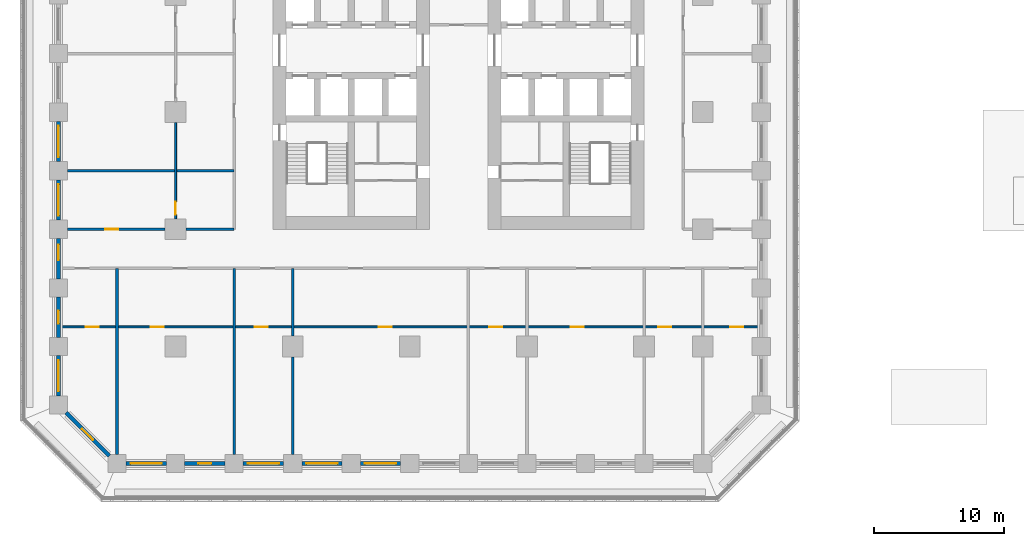
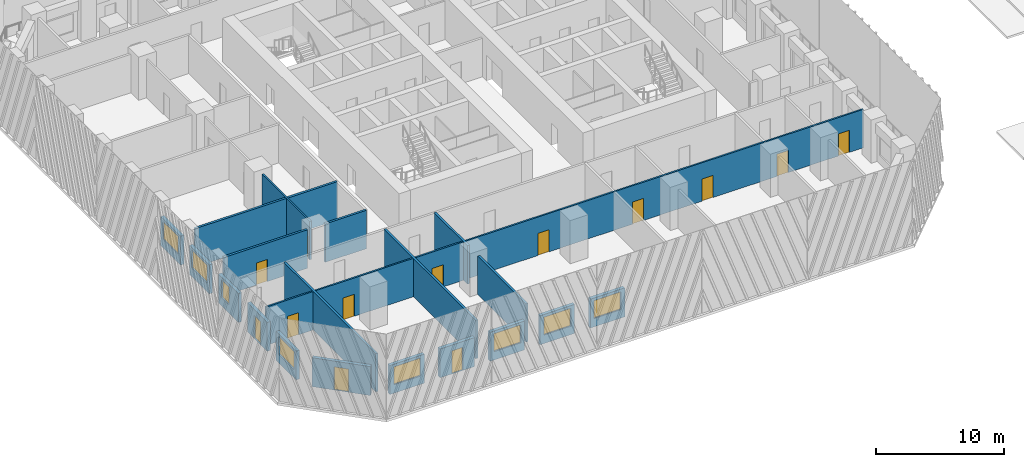
# One storey, part 3 of 15: 20 walls, 13 doors, 8 windows, 21 openings.
"""IFC4 building model written with IfcOpenShell, lengths in metres."""

from ifc_helpers import new_model, si_unit, direction, frame, frame_2d, origin, place, context, subcontext, project, spatial, rectangle, extrude, material, layer, layer_set, type_object, element, fill, save


model = new_model("IFC4")

# Units and contexts
model_context = context("Model", 3, precision=1e-05, world=origin(), true_north=direction((0.0, 1.0)))
body_context = subcontext(model_context, "Body", "Model", "MODEL_VIEW")
ifc_project = project(units=[si_unit("LENGTHUNIT", "METRE"), si_unit("AREAUNIT", "SQUARE_METRE"), si_unit("VOLUMEUNIT", "CUBIC_METRE"), si_unit("PLANEANGLEUNIT", "RADIAN"), si_unit("MASSUNIT", "GRAM", prefix="KILO")], contexts=[model_context])

# Site, building, storey
site_placement = place(None, origin())
site = spatial("IfcSite", under=ifc_project, at=site_placement, CompositionType="ELEMENT")
building_placement = place(site_placement, origin())
building = spatial("IfcBuilding", under=site, at=building_placement, Name="Corbel Stack Research Tower", CompositionType="ELEMENT")
storey_placement = place(building_placement, frame((0.0, 0.0, 23.60009765625)))
storey = spatial("IfcBuildingStorey", under=building, at=storey_placement, Name="L05", CompositionType="ELEMENT", Elevation=23.60009765625)

# Walls
ifc_material_1 = material(Name="Fire-rated gypsum board partition on steel studs", Category="steel")
ifc_layer_1 = layer(ifc_material_1, 0.199951171875)
ifc_layer_set_1 = layer_set([ifc_layer_1], Name="Fire-rated gypsum board partition on steel studs")
wall_type_1 = type_object("IfcWallType", Name="Fire-rated partition 200 EI 60", PredefinedType="PARTITIONING", material=ifc_layer_set_1)
for number, where, z_axis, x_axis, name in (
    (1, (-22.5, -26.300048828125, 0.0), (0.0, 0.0, 1.0), (0.0, 1.0, 0.0), "Partition L05-001"),
    (2, (-13.5, -26.300048828125, 0.0), (0.0, 0.0, 1.0), (0.0, 1.0, 0.0), "Partition L05-006"),
):
    element("IfcWall", number, at=place(storey_placement, frame(where, z_axis=z_axis, x_axis=x_axis)), inside=storey, type_object=wall_type_1, Name=name, PredefinedType="PARTITIONING", context=body_context, shape_type="SweptSolid", body=[
        extrude(rectangle(XDim=14.300048828125, YDim=0.199951171875, at=frame_2d((7.14990234375, 0.0))), origin(), (0.0, 0.0, 1.0), 3.64990234375),
    ])
wall_1_placement = place(storey_placement, frame((-9.0, -26.300048828125, 0.0), z_axis=(0.0, 0.0, 1.0), x_axis=(0.0, 1.0, 0.0)))
element("IfcWall", 3, at=wall_1_placement, inside=storey, type_object=wall_type_1, Name="Partition L05-009", PredefinedType="PARTITIONING", context=body_context, shape_type="SweptSolid", body=[
    extrude(rectangle(XDim=7.5, YDim=0.199951171875, at=frame_2d((3.75, 0.0))), origin(), (0.0, 0.0, 1.0), 3.64990234375),
])
wall_2_placement = place(storey_placement, frame((-9.0, -17.199951171875, 0.0), z_axis=(0.0, 0.0, 1.0), x_axis=(0.0, 1.0, 0.0)))
element("IfcWall", 4, at=wall_2_placement, inside=storey, type_object=wall_type_1, Name="Partition L05-010", PredefinedType="PARTITIONING", context=body_context, shape_type="SweptSolid", body=[
    extrude(rectangle(XDim=5.199951171875, YDim=0.199951171875, at=frame_2d((2.60009765625, 0.0))), origin(), (0.0, 0.0, 1.0), 3.64990234375),
])

# Wall, opening, door
wall_3_placement = place(storey_placement, frame((-26.300048828125, -9.0, 0.0), z_axis=(0.0, 0.0, 1.0), x_axis=(1.0, 0.0, 0.0)))
wall_3 = element("IfcWall", 5, at=wall_3_placement, inside=storey, type_object=wall_type_1, Name="Partition L05-026", PredefinedType="PARTITIONING", context=body_context, shape_type="SweptSolid", body=[
    extrude(rectangle(XDim=7.5, YDim=0.199951171875, at=frame_2d((3.75, 0.0))), origin(), (0.0, 0.0, 1.0), 3.64990234375),
])
opening_1_placement = place(wall_3_placement, frame((2.89990234375, 0.0, 0.0)))
opening_1 = element("IfcOpeningElement", 6, at=opening_1_placement, cuts=wall_3, Name="Opening B1V1-024", PredefinedType="OPENING", context=body_context, shape_type="SweptSolid", body=[
    extrude(rectangle(XDim=1.0, YDim=2.10009765625, at=frame_2d((0.5, 1.050048828125))), frame((0.0, 0.10986328125, 0.0), z_axis=(0.0, -1.0, 0.0), x_axis=(1.0, 0.0, 0.0)), (0.0, 0.0, 1.0), 0.219970703125),
])
ifc_material_2 = material(Name="Painted steel fire door", Category="steel")
door_type_1 = type_object("IfcDoorType", Name="Fire door FD30S 1000 x 2100", OperationType="NOTDEFINED", PredefinedType="DOOR", material=ifc_material_2)
door_1_placement = place(opening_1_placement, origin())
door_1 = element("IfcDoor", 7, at=door_1_placement, inside=storey, type_object=door_type_1, Name="Door B1V1-024", OperationType="SINGLE_SWING_LEFT", OverallHeight=2.10009765625, OverallWidth=1.0, PredefinedType="DOOR", context=body_context, shape_type="SweptSolid", body=[
    extrude(rectangle(XDim=1.0, YDim=2.10009765625, at=frame_2d((0.5, 1.050048828125))), frame((0.0, 0.02490234375, 0.0), z_axis=(0.0, -1.0, 0.0), x_axis=(1.0, 0.0, 0.0)), (0.0, 0.0, 1.0), 0.050048828125),
])
fill(opening_1, door_1)

# Walls
wall_4_placement = place(storey_placement, frame((-17.199951171875, -9.0, 0.0), z_axis=(0.0, 0.0, 1.0), x_axis=(1.0, 0.0, 0.0)))
element("IfcWall", 8, at=wall_4_placement, inside=storey, type_object=wall_type_1, Name="Partition L05-027", PredefinedType="PARTITIONING", context=body_context, shape_type="SweptSolid", body=[
    extrude(rectangle(XDim=3.699951171875, YDim=0.199951171875, at=frame_2d((1.85009765625, 0.0))), origin(), (0.0, 0.0, 1.0), 3.64990234375),
])
wall_5_placement = place(storey_placement, frame((-26.300048828125, -4.5, 0.0), z_axis=(0.0, 0.0, 1.0), x_axis=(1.0, 0.0, 0.0)))
element("IfcWall", 9, at=wall_5_placement, inside=storey, type_object=wall_type_1, Name="Partition L05-030", PredefinedType="PARTITIONING", context=body_context, shape_type="SweptSolid", body=[
    extrude(rectangle(XDim=12.800048828125, YDim=0.199951171875, at=frame_2d((6.39990234375, 0.0))), origin(), (0.0, 0.0, 1.0), 3.64990234375),
])

# Wall, opening, door
ifc_material_3 = material(Name="Gypsum board partition on steel studs", Category="steel")
ifc_layer_2 = layer(ifc_material_3, 0.14990234375)
ifc_layer_set_2 = layer_set([ifc_layer_2], Name="Gypsum board partition on steel studs")
wall_type_2 = type_object("IfcWallType", Name="Partition 150", PredefinedType="PARTITIONING", material=ifc_layer_set_2)
wall_6_placement = place(storey_placement, frame((-18.0, -0.800048828125, 0.0), z_axis=(0.0, 0.0, 1.0), x_axis=(0.0, -1.0, 0.0)))
wall_6 = element("IfcWall", 10, at=wall_6_placement, inside=storey, type_object=wall_type_2, Name="Partition L05-003", PredefinedType="PARTITIONING", context=body_context, shape_type="SweptSolid", body=[
    extrude(rectangle(XDim=7.39990234375, YDim=0.14990234375, at=frame_2d((3.699951171875, 0.0))), origin(), (0.0, 0.0, 1.0), 3.64990234375),
])
opening_2_placement = place(wall_6_placement, frame((6.10009765625, 0.0, 0.0)))
opening_2 = element("IfcOpeningElement", 11, at=opening_2_placement, cuts=wall_6, Name="Opening B1V1-001", PredefinedType="OPENING", context=body_context, shape_type="SweptSolid", body=[
    extrude(rectangle(XDim=1.0, YDim=2.10009765625, at=frame_2d((0.5, 1.050048828125))), frame((0.0, 0.0849609375, 0.0), z_axis=(0.0, -1.0, 0.0), x_axis=(1.0, 0.0, 0.0)), (0.0, 0.0, 1.0), 0.169921875),
])
ifc_material_4 = material(Name="Painted timber door", Category="wood")
door_type_2 = type_object("IfcDoorType", Name="Single door 1000 x 2100", OperationType="NOTDEFINED", PredefinedType="DOOR", material=ifc_material_4)
door_2_placement = place(opening_2_placement, origin())
door_2 = element("IfcDoor", 12, at=door_2_placement, inside=storey, type_object=door_type_2, Name="Door B1V1-001", OperationType="SINGLE_SWING_RIGHT", OverallHeight=2.10009765625, OverallWidth=1.0, PredefinedType="DOOR", context=body_context, shape_type="SweptSolid", body=[
    extrude(rectangle(XDim=1.0, YDim=2.10009765625, at=frame_2d((0.5, 1.050048828125))), frame((0.0, 0.02490234375, 0.0), z_axis=(0.0, -1.0, 0.0), x_axis=(1.0, 0.0, 0.0)), (0.0, 0.0, 1.0), 0.050048828125),
])
fill(opening_2, door_2)

# Wall, openings, doors
wall_7_placement = place(storey_placement, frame((26.85009765625, -16.5, 0.0), z_axis=(0.0, 0.0, 1.0), x_axis=(-1.0, 0.0, 0.0)))
wall_7 = element("IfcWall", 13, at=wall_7_placement, inside=storey, type_object=wall_type_2, Name="Partition L05-024", PredefinedType="PARTITIONING", context=body_context, shape_type="SweptSolid", body=[
    extrude(rectangle(XDim=53.7001953125, YDim=0.14990234375, at=frame_2d((26.85009765625, 0.0))), origin(), (0.0, 0.0, 1.0), 3.64990234375),
])
opening_3_placement = place(wall_7_placement, frame((50.75, 0.0, 0.0)))
opening_3 = element("IfcOpeningElement", 14, at=opening_3_placement, cuts=wall_7, Name="Opening B1V1-005", PredefinedType="OPENING", context=body_context, shape_type="SweptSolid", body=[
    extrude(rectangle(XDim=1.0, YDim=2.10009765625, at=frame_2d((0.5, 1.050048828125))), frame((0.0, 0.0849609375, 0.0), z_axis=(0.0, -1.0, 0.0), x_axis=(1.0, 0.0, 0.0)), (0.0, 0.0, 1.0), 0.169921875),
])
opening_4_placement = place(wall_7_placement, frame((45.75, 0.0, 0.0)))
opening_4 = element("IfcOpeningElement", 15, at=opening_4_placement, cuts=wall_7, Name="Opening B1V1-006", PredefinedType="OPENING", context=body_context, shape_type="SweptSolid", body=[
    extrude(rectangle(XDim=1.0, YDim=2.10009765625, at=frame_2d((0.5, 1.050048828125))), frame((0.0, 0.0849609375, 0.0), z_axis=(0.0, -1.0, 0.0), x_axis=(1.0, 0.0, 0.0)), (0.0, 0.0, 1.0), 0.169921875),
])
opening_5_placement = place(wall_7_placement, frame((37.75, 0.0, 0.0)))
opening_5 = element("IfcOpeningElement", 16, at=opening_5_placement, cuts=wall_7, Name="Opening B1V1-007", PredefinedType="OPENING", context=body_context, shape_type="SweptSolid", body=[
    extrude(rectangle(XDim=1.0, YDim=2.10009765625, at=frame_2d((0.5, 1.050048828125))), frame((0.0, 0.0849609375, 0.0), z_axis=(0.0, -1.0, 0.0), x_axis=(1.0, 0.0, 0.0)), (0.0, 0.0, 1.0), 0.169921875),
])
opening_6_placement = place(wall_7_placement, frame((28.25, 0.0, 0.0)))
opening_6 = element("IfcOpeningElement", 17, at=opening_6_placement, cuts=wall_7, Name="Opening B1V1-008", PredefinedType="OPENING", context=body_context, shape_type="SweptSolid", body=[
    extrude(rectangle(XDim=1.0, YDim=2.10009765625, at=frame_2d((0.5, 1.050048828125))), frame((0.0, 0.0849609375, 0.0), z_axis=(0.0, -1.0, 0.0), x_axis=(1.0, 0.0, 0.0)), (0.0, 0.0, 1.0), 0.169921875),
])
opening_7_placement = place(wall_7_placement, frame((19.75, 0.0, 0.0)))
opening_7 = element("IfcOpeningElement", 18, at=opening_7_placement, cuts=wall_7, Name="Opening B1V1-009", PredefinedType="OPENING", context=body_context, shape_type="SweptSolid", body=[
    extrude(rectangle(XDim=1.0, YDim=2.10009765625, at=frame_2d((0.5, 1.050048828125))), frame((0.0, 0.0849609375, 0.0), z_axis=(0.0, -1.0, 0.0), x_axis=(1.0, 0.0, 0.0)), (0.0, 0.0, 1.0), 0.169921875),
])
opening_8_placement = place(wall_7_placement, frame((13.5, 0.0, 0.0)))
opening_8 = element("IfcOpeningElement", 19, at=opening_8_placement, cuts=wall_7, Name="Opening B1V1-010", PredefinedType="OPENING", context=body_context, shape_type="SweptSolid", body=[
    extrude(rectangle(XDim=1.0, YDim=2.10009765625, at=frame_2d((0.5, 1.050048828125))), frame((0.0, 0.0849609375, 0.0), z_axis=(0.0, -1.0, 0.0), x_axis=(1.0, 0.0, 0.0)), (0.0, 0.0, 1.0), 0.169921875),
])
opening_9_placement = place(wall_7_placement, frame((6.75, 0.0, 0.0)))
opening_9 = element("IfcOpeningElement", 20, at=opening_9_placement, cuts=wall_7, Name="Opening B1V1-011", PredefinedType="OPENING", context=body_context, shape_type="SweptSolid", body=[
    extrude(rectangle(XDim=1.0, YDim=2.10009765625, at=frame_2d((0.5, 1.050048828125))), frame((0.0, 0.0849609375, 0.0), z_axis=(0.0, -1.0, 0.0), x_axis=(1.0, 0.0, 0.0)), (0.0, 0.0, 1.0), 0.169921875),
])
opening_10_placement = place(wall_7_placement, frame((1.25, 0.0, 0.0)))
opening_10 = element("IfcOpeningElement", 21, at=opening_10_placement, cuts=wall_7, Name="Opening B1V1-012", PredefinedType="OPENING", context=body_context, shape_type="SweptSolid", body=[
    extrude(rectangle(XDim=1.0, YDim=2.10009765625, at=frame_2d((0.5, 1.050048828125))), frame((0.0, 0.0849609375, 0.0), z_axis=(0.0, -1.0, 0.0), x_axis=(1.0, 0.0, 0.0)), (0.0, 0.0, 1.0), 0.169921875),
])
door_3_placement = place(opening_3_placement, origin())
door_3 = element("IfcDoor", 22, at=door_3_placement, inside=storey, type_object=door_type_2, Name="Door B1V1-005", OperationType="SINGLE_SWING_RIGHT", OverallHeight=2.10009765625, OverallWidth=1.0, PredefinedType="DOOR", context=body_context, shape_type="SweptSolid", body=[
    extrude(rectangle(XDim=1.0, YDim=2.10009765625, at=frame_2d((0.5, 1.050048828125))), frame((0.0, 0.02490234375, 0.0), z_axis=(0.0, -1.0, 0.0), x_axis=(1.0, 0.0, 0.0)), (0.0, 0.0, 1.0), 0.050048828125),
])
fill(opening_3, door_3)
door_4_placement = place(opening_4_placement, origin())
door_4 = element("IfcDoor", 23, at=door_4_placement, inside=storey, type_object=door_type_2, Name="Door B1V1-006", OperationType="SINGLE_SWING_RIGHT", OverallHeight=2.10009765625, OverallWidth=1.0, PredefinedType="DOOR", context=body_context, shape_type="SweptSolid", body=[
    extrude(rectangle(XDim=1.0, YDim=2.10009765625, at=frame_2d((0.5, 1.050048828125))), frame((0.0, 0.02490234375, 0.0), z_axis=(0.0, -1.0, 0.0), x_axis=(1.0, 0.0, 0.0)), (0.0, 0.0, 1.0), 0.050048828125),
])
fill(opening_4, door_4)
door_5_placement = place(opening_5_placement, origin())
door_5 = element("IfcDoor", 24, at=door_5_placement, inside=storey, type_object=door_type_2, Name="Door B1V1-007", OperationType="SINGLE_SWING_RIGHT", OverallHeight=2.10009765625, OverallWidth=1.0, PredefinedType="DOOR", context=body_context, shape_type="SweptSolid", body=[
    extrude(rectangle(XDim=1.0, YDim=2.10009765625, at=frame_2d((0.5, 1.050048828125))), frame((0.0, 0.02490234375, 0.0), z_axis=(0.0, -1.0, 0.0), x_axis=(1.0, 0.0, 0.0)), (0.0, 0.0, 1.0), 0.050048828125),
])
fill(opening_5, door_5)
door_6_placement = place(opening_6_placement, origin())
door_6 = element("IfcDoor", 25, at=door_6_placement, inside=storey, type_object=door_type_2, Name="Door B1V1-008", OperationType="SINGLE_SWING_RIGHT", OverallHeight=2.10009765625, OverallWidth=1.0, PredefinedType="DOOR", context=body_context, shape_type="SweptSolid", body=[
    extrude(rectangle(XDim=1.0, YDim=2.10009765625, at=frame_2d((0.5, 1.050048828125))), frame((0.0, 0.02490234375, 0.0), z_axis=(0.0, -1.0, 0.0), x_axis=(1.0, 0.0, 0.0)), (0.0, 0.0, 1.0), 0.050048828125),
])
fill(opening_6, door_6)
door_7_placement = place(opening_7_placement, origin())
door_7 = element("IfcDoor", 26, at=door_7_placement, inside=storey, type_object=door_type_2, Name="Door B1V1-009", OperationType="SINGLE_SWING_LEFT", OverallHeight=2.10009765625, OverallWidth=1.0, PredefinedType="DOOR", context=body_context, shape_type="SweptSolid", body=[
    extrude(rectangle(XDim=1.0, YDim=2.10009765625, at=frame_2d((0.5, 1.050048828125))), frame((0.0, 0.02490234375, 0.0), z_axis=(0.0, -1.0, 0.0), x_axis=(1.0, 0.0, 0.0)), (0.0, 0.0, 1.0), 0.050048828125),
])
fill(opening_7, door_7)
door_8_placement = place(opening_8_placement, origin())
door_8 = element("IfcDoor", 27, at=door_8_placement, inside=storey, type_object=door_type_2, Name="Door B1V1-010", OperationType="SINGLE_SWING_LEFT", OverallHeight=2.10009765625, OverallWidth=1.0, PredefinedType="DOOR", context=body_context, shape_type="SweptSolid", body=[
    extrude(rectangle(XDim=1.0, YDim=2.10009765625, at=frame_2d((0.5, 1.050048828125))), frame((0.0, 0.02490234375, 0.0), z_axis=(0.0, -1.0, 0.0), x_axis=(1.0, 0.0, 0.0)), (0.0, 0.0, 1.0), 0.050048828125),
])
fill(opening_8, door_8)
door_9_placement = place(opening_9_placement, origin())
door_9 = element("IfcDoor", 28, at=door_9_placement, inside=storey, type_object=door_type_2, Name="Door B1V1-011", OperationType="SINGLE_SWING_LEFT", OverallHeight=2.10009765625, OverallWidth=1.0, PredefinedType="DOOR", context=body_context, shape_type="SweptSolid", body=[
    extrude(rectangle(XDim=1.0, YDim=2.10009765625, at=frame_2d((0.5, 1.050048828125))), frame((0.0, 0.02490234375, 0.0), z_axis=(0.0, -1.0, 0.0), x_axis=(1.0, 0.0, 0.0)), (0.0, 0.0, 1.0), 0.050048828125),
])
fill(opening_9, door_9)
door_10_placement = place(opening_10_placement, origin())
door_10 = element("IfcDoor", 29, at=door_10_placement, inside=storey, type_object=door_type_2, Name="Door B1V1-012", OperationType="SINGLE_SWING_LEFT", OverallHeight=2.10009765625, OverallWidth=1.0, PredefinedType="DOOR", context=body_context, shape_type="SweptSolid", body=[
    extrude(rectangle(XDim=1.0, YDim=2.10009765625, at=frame_2d((0.5, 1.050048828125))), frame((0.0, 0.02490234375, 0.0), z_axis=(0.0, -1.0, 0.0), x_axis=(1.0, 0.0, 0.0)), (0.0, 0.0, 1.0), 0.050048828125),
])
fill(opening_10, door_10)

# Wall, opening, window
ifc_material_5 = material(Name="Concrete C45/55", Category="concrete")
ifc_layer_3 = layer(ifc_material_5, 0.300048828125)
ifc_layer_set_3 = layer_set([ifc_layer_3], Name="Concrete C45/55")
wall_type_3 = type_object("IfcWallType", Name="Terracotta-faced concrete wall 300", PredefinedType="SOLIDWALL", material=ifc_layer_set_3)
wall_8_placement = place(storey_placement, frame((-18.699951171875, -27.0, 0.0), z_axis=(0.0, 0.0, 1.0), x_axis=(-1.0, 0.0, 0.0)))
wall_8 = element("IfcWall", 30, at=wall_8_placement, inside=storey, type_object=wall_type_3, Name="Facade wall L05 S01", PredefinedType="SOLIDWALL", context=body_context, shape_type="SweptSolid", body=[
    extrude(rectangle(XDim=3.10009765625, YDim=0.300048828125, at=frame_2d((1.550048828125, 0.0))), origin(), (0.0, 0.0, 1.0), 2.75),
])
opening_11_placement = place(wall_8_placement, frame((0.35009765625, 0.0, 0.800048828125)))
opening_11 = element("IfcOpeningElement", 31, at=opening_11_placement, cuts=wall_8, Name="Opening W1", PredefinedType="OPENING", context=body_context, shape_type="SweptSolid", body=[
    extrude(rectangle(XDim=2.39990234375, YDim=1.699951171875, at=frame_2d((1.199951171875, 0.85009765625))), frame((0.0, 0.159912109375, 0.0), z_axis=(0.0, -1.0, 0.0), x_axis=(1.0, 0.0, 0.0)), (0.0, 0.0, 1.0), 0.320068359375),
])
ifc_material_6 = material(Name="Aluminium frame, clear double glazing", Category="aluminium")
window_type_1 = type_object("IfcWindowType", Name="Window W1 2400 x 1700", PartitioningType="SINGLE_PANEL", PredefinedType="WINDOW", material=ifc_material_6)
window_1_placement = place(opening_11_placement, origin())
window_1 = element("IfcWindow", 32, at=window_1_placement, inside=storey, type_object=window_type_1, Name="Window W1 L05 S01", OverallHeight=1.699951171875, OverallWidth=2.39990234375, PartitioningType="SINGLE_PANEL", PredefinedType="WINDOW", context=body_context, shape_type="SweptSolid", body=[
    extrude(rectangle(XDim=2.39990234375, YDim=1.699951171875, at=frame_2d((1.199951171875, 0.85009765625))), frame((0.0, 0.030029296875, 0.0), z_axis=(0.0, -1.0, 0.0), x_axis=(1.0, 0.0, 0.0)), (0.0, 0.0, 1.0), 0.06005859375),
])
fill(opening_11, window_1)

# Wall, opening, door
wall_9_placement = place(storey_placement, frame((-14.199951171875, -27.0, 0.0), z_axis=(0.0, 0.0, 1.0), x_axis=(-1.0, 0.0, 0.0)))
wall_9 = element("IfcWall", 33, at=wall_9_placement, inside=storey, type_object=wall_type_3, Name="Facade wall L05 S02", PredefinedType="SOLIDWALL", context=body_context, shape_type="SweptSolid", body=[
    extrude(rectangle(XDim=3.10009765625, YDim=0.300048828125, at=frame_2d((1.550048828125, 0.0))), origin(), (0.0, 0.0, 1.0), 2.75),
])
opening_12_placement = place(wall_9_placement, frame((1.050048828125, 0.0, 0.0)))
opening_12 = element("IfcOpeningElement", 34, at=opening_12_placement, cuts=wall_9, Name="Opening L05-B01", PredefinedType="OPENING", context=body_context, shape_type="SweptSolid", body=[
    extrude(rectangle(XDim=1.0, YDim=2.199951171875, at=frame_2d((0.5, 1.10009765625))), frame((0.0, 0.159912109375, 0.0), z_axis=(0.0, -1.0, 0.0), x_axis=(1.0, 0.0, 0.0)), (0.0, 0.0, 1.0), 0.320068359375),
])
ifc_material_7 = material(Name="Aluminium frame, clear double glazing", Category="aluminium")
door_type_3 = type_object("IfcDoorType", Name="Balcony door BD1 1000 x 2200", OperationType="NOTDEFINED", PredefinedType="DOOR", material=ifc_material_7)
door_11_placement = place(opening_12_placement, origin())
door_11 = element("IfcDoor", 35, at=door_11_placement, inside=storey, type_object=door_type_3, Name="Balcony door L05-B01", OperationType="SINGLE_SWING_LEFT", OverallHeight=2.199951171875, OverallWidth=1.0, PredefinedType="DOOR", context=body_context, shape_type="SweptSolid", body=[
    extrude(rectangle(XDim=1.0, YDim=2.199951171875, at=frame_2d((0.5, 1.10009765625))), frame((0.0, 0.02490234375, 0.0), z_axis=(0.0, -1.0, 0.0), x_axis=(1.0, 0.0, 0.0)), (0.0, 0.0, 1.0), 0.050048828125),
])
fill(opening_12, door_11)

# Wall, opening, window
wall_10_placement = place(storey_placement, frame((-9.699951171875, -27.0, 0.0), z_axis=(0.0, 0.0, 1.0), x_axis=(-1.0, 0.0, 0.0)))
wall_10 = element("IfcWall", 36, at=wall_10_placement, inside=storey, type_object=wall_type_3, Name="Facade wall L05 S03", PredefinedType="SOLIDWALL", context=body_context, shape_type="SweptSolid", body=[
    extrude(rectangle(XDim=3.10009765625, YDim=0.300048828125, at=frame_2d((1.550048828125, 0.0))), origin(), (0.0, 0.0, 1.0), 2.75),
])
opening_13_placement = place(wall_10_placement, frame((0.35009765625, 0.0, 0.800048828125)))
opening_13 = element("IfcOpeningElement", 37, at=opening_13_placement, cuts=wall_10, Name="Opening W1", PredefinedType="OPENING", context=body_context, shape_type="SweptSolid", body=[
    extrude(rectangle(XDim=2.39990234375, YDim=1.699951171875, at=frame_2d((1.199951171875, 0.85009765625))), frame((0.0, 0.159912109375, 0.0), z_axis=(0.0, -1.0, 0.0), x_axis=(1.0, 0.0, 0.0)), (0.0, 0.0, 1.0), 0.320068359375),
])
window_2_placement = place(opening_13_placement, origin())
window_2 = element("IfcWindow", 38, at=window_2_placement, inside=storey, type_object=window_type_1, Name="Window W1 L05 S03", OverallHeight=1.699951171875, OverallWidth=2.39990234375, PartitioningType="SINGLE_PANEL", PredefinedType="WINDOW", context=body_context, shape_type="SweptSolid", body=[
    extrude(rectangle(XDim=2.39990234375, YDim=1.699951171875, at=frame_2d((1.199951171875, 0.85009765625))), frame((0.0, 0.030029296875, 0.0), z_axis=(0.0, -1.0, 0.0), x_axis=(1.0, 0.0, 0.0)), (0.0, 0.0, 1.0), 0.06005859375),
])
fill(opening_13, window_2)

wall_11_placement = place(storey_placement, frame((-5.199951171875, -27.0, 0.0), z_axis=(0.0, 0.0, 1.0), x_axis=(-1.0, 0.0, 0.0)))
wall_11 = element("IfcWall", 39, at=wall_11_placement, inside=storey, type_object=wall_type_3, Name="Facade wall L05 S04", PredefinedType="SOLIDWALL", context=body_context, shape_type="SweptSolid", body=[
    extrude(rectangle(XDim=3.10009765625, YDim=0.300048828125, at=frame_2d((1.550048828125, 0.0))), origin(), (0.0, 0.0, 1.0), 2.75),
])
opening_14_placement = place(wall_11_placement, frame((0.35009765625, 0.0, 0.800048828125)))
opening_14 = element("IfcOpeningElement", 40, at=opening_14_placement, cuts=wall_11, Name="Opening W1", PredefinedType="OPENING", context=body_context, shape_type="SweptSolid", body=[
    extrude(rectangle(XDim=2.39990234375, YDim=1.699951171875, at=frame_2d((1.199951171875, 0.85009765625))), frame((0.0, 0.159912109375, 0.0), z_axis=(0.0, -1.0, 0.0), x_axis=(1.0, 0.0, 0.0)), (0.0, 0.0, 1.0), 0.320068359375),
])
window_3_placement = place(opening_14_placement, origin())
window_3 = element("IfcWindow", 41, at=window_3_placement, inside=storey, type_object=window_type_1, Name="Window W1 L05 S04", OverallHeight=1.699951171875, OverallWidth=2.39990234375, PartitioningType="SINGLE_PANEL", PredefinedType="WINDOW", context=body_context, shape_type="SweptSolid", body=[
    extrude(rectangle(XDim=2.39990234375, YDim=1.699951171875, at=frame_2d((1.199951171875, 0.85009765625))), frame((0.0, 0.030029296875, 0.0), z_axis=(0.0, -1.0, 0.0), x_axis=(1.0, 0.0, 0.0)), (0.0, 0.0, 1.0), 0.06005859375),
])
fill(opening_14, window_3)

wall_12_placement = place(storey_placement, frame((-0.699951171875, -27.0, 0.0), z_axis=(0.0, 0.0, 1.0), x_axis=(-1.0, 0.0, 0.0)))
wall_12 = element("IfcWall", 42, at=wall_12_placement, inside=storey, type_object=wall_type_3, Name="Facade wall L05 S05", PredefinedType="SOLIDWALL", context=body_context, shape_type="SweptSolid", body=[
    extrude(rectangle(XDim=3.10009765625, YDim=0.300048828125, at=frame_2d((1.550048828125, 0.0))), origin(), (0.0, 0.0, 1.0), 2.75),
])
opening_15_placement = place(wall_12_placement, frame((0.35009765625, 0.0, 0.800048828125)))
opening_15 = element("IfcOpeningElement", 43, at=opening_15_placement, cuts=wall_12, Name="Opening W1", PredefinedType="OPENING", context=body_context, shape_type="SweptSolid", body=[
    extrude(rectangle(XDim=2.39990234375, YDim=1.699951171875, at=frame_2d((1.199951171875, 0.85009765625))), frame((0.0, 0.159912109375, 0.0), z_axis=(0.0, -1.0, 0.0), x_axis=(1.0, 0.0, 0.0)), (0.0, 0.0, 1.0), 0.320068359375),
])
window_4_placement = place(opening_15_placement, origin())
window_4 = element("IfcWindow", 44, at=window_4_placement, inside=storey, type_object=window_type_1, Name="Window W1 L05 S05", OverallHeight=1.699951171875, OverallWidth=2.39990234375, PartitioningType="SINGLE_PANEL", PredefinedType="WINDOW", context=body_context, shape_type="SweptSolid", body=[
    extrude(rectangle(XDim=2.39990234375, YDim=1.699951171875, at=frame_2d((1.199951171875, 0.85009765625))), frame((0.0, 0.030029296875, 0.0), z_axis=(0.0, -1.0, 0.0), x_axis=(1.0, 0.0, 0.0)), (0.0, 0.0, 1.0), 0.06005859375),
])
fill(opening_15, window_4)

wall_13_placement = place(storey_placement, frame((-27.0, -3.800048828125, 0.0), z_axis=(0.0, 0.0, 1.0), x_axis=(0.0, 1.0, 0.0)))
wall_13 = element("IfcWall", 45, at=wall_13_placement, inside=storey, type_object=wall_type_3, Name="Facade wall L05 W06", PredefinedType="SOLIDWALL", context=body_context, shape_type="SweptSolid", body=[
    extrude(rectangle(XDim=3.10009765625, YDim=0.300048828125, at=frame_2d((1.550048828125, 0.0))), origin(), (0.0, 0.0, 1.0), 2.75),
])
opening_16_placement = place(wall_13_placement, frame((0.35009765625, 0.0, 0.800048828125)))
opening_16 = element("IfcOpeningElement", 46, at=opening_16_placement, cuts=wall_13, Name="Opening W1", PredefinedType="OPENING", context=body_context, shape_type="SweptSolid", body=[
    extrude(rectangle(XDim=2.39990234375, YDim=1.699951171875, at=frame_2d((1.199951171875, 0.85009765625))), frame((0.0, 0.159912109375, 0.0), z_axis=(0.0, -1.0, 0.0), x_axis=(1.0, 0.0, 0.0)), (0.0, 0.0, 1.0), 0.320068359375),
])
window_5_placement = place(opening_16_placement, origin())
window_5 = element("IfcWindow", 47, at=window_5_placement, inside=storey, type_object=window_type_1, Name="Window W1 L05 W06", OverallHeight=1.699951171875, OverallWidth=2.39990234375, PartitioningType="SINGLE_PANEL", PredefinedType="WINDOW", context=body_context, shape_type="SweptSolid", body=[
    extrude(rectangle(XDim=2.39990234375, YDim=1.699951171875, at=frame_2d((1.199951171875, 0.85009765625))), frame((0.0, 0.030029296875, 0.0), z_axis=(0.0, -1.0, 0.0), x_axis=(1.0, 0.0, 0.0)), (0.0, 0.0, 1.0), 0.06005859375),
])
fill(opening_16, window_5)

wall_14_placement = place(storey_placement, frame((-27.0, -8.300048828125, 0.0), z_axis=(0.0, 0.0, 1.0), x_axis=(0.0, 1.0, 0.0)))
wall_14 = element("IfcWall", 48, at=wall_14_placement, inside=storey, type_object=wall_type_3, Name="Facade wall L05 W07", PredefinedType="SOLIDWALL", context=body_context, shape_type="SweptSolid", body=[
    extrude(rectangle(XDim=3.10009765625, YDim=0.300048828125, at=frame_2d((1.550048828125, 0.0))), origin(), (0.0, 0.0, 1.0), 2.75),
])
opening_17_placement = place(wall_14_placement, frame((0.35009765625, 0.0, 0.800048828125)))
opening_17 = element("IfcOpeningElement", 49, at=opening_17_placement, cuts=wall_14, Name="Opening W1", PredefinedType="OPENING", context=body_context, shape_type="SweptSolid", body=[
    extrude(rectangle(XDim=2.39990234375, YDim=1.699951171875, at=frame_2d((1.199951171875, 0.85009765625))), frame((0.0, 0.159912109375, 0.0), z_axis=(0.0, -1.0, 0.0), x_axis=(1.0, 0.0, 0.0)), (0.0, 0.0, 1.0), 0.320068359375),
])
window_6_placement = place(opening_17_placement, origin())
window_6 = element("IfcWindow", 50, at=window_6_placement, inside=storey, type_object=window_type_1, Name="Window W1 L05 W07", OverallHeight=1.699951171875, OverallWidth=2.39990234375, PartitioningType="SINGLE_PANEL", PredefinedType="WINDOW", context=body_context, shape_type="SweptSolid", body=[
    extrude(rectangle(XDim=2.39990234375, YDim=1.699951171875, at=frame_2d((1.199951171875, 0.85009765625))), frame((0.0, 0.030029296875, 0.0), z_axis=(0.0, -1.0, 0.0), x_axis=(1.0, 0.0, 0.0)), (0.0, 0.0, 1.0), 0.06005859375),
])
fill(opening_17, window_6)

wall_15_placement = place(storey_placement, frame((-27.0, -12.800048828125, 0.0), z_axis=(0.0, 0.0, 1.0), x_axis=(0.0, 1.0, 0.0)))
wall_15 = element("IfcWall", 51, at=wall_15_placement, inside=storey, type_object=wall_type_3, Name="Facade wall L05 W08", PredefinedType="SOLIDWALL", context=body_context, shape_type="SweptSolid", body=[
    extrude(rectangle(XDim=3.10009765625, YDim=0.300048828125, at=frame_2d((1.550048828125, 0.0))), origin(), (0.0, 0.0, 1.0), 2.75),
])
opening_18_placement = place(wall_15_placement, frame((1.425048828125, 0.0, 0.800048828125)))
opening_18 = element("IfcOpeningElement", 52, at=opening_18_placement, cuts=wall_15, Name="Opening W2", PredefinedType="OPENING", context=body_context, shape_type="SweptSolid", body=[
    extrude(rectangle(XDim=1.199951171875, YDim=1.699951171875, at=frame_2d((0.60009765625, 0.85009765625))), frame((0.0, 0.159912109375, 0.0), z_axis=(0.0, -1.0, 0.0), x_axis=(1.0, 0.0, 0.0)), (0.0, 0.0, 1.0), 0.320068359375),
])
ifc_material_8 = material(Name="Aluminium frame, clear double glazing", Category="aluminium")
window_type_2 = type_object("IfcWindowType", Name="Window W2 1200 x 1700", PartitioningType="SINGLE_PANEL", PredefinedType="WINDOW", material=ifc_material_8)
window_7_placement = place(opening_18_placement, origin())
window_7 = element("IfcWindow", 53, at=window_7_placement, inside=storey, type_object=window_type_2, Name="Window W2 L05 W08", OverallHeight=1.699951171875, OverallWidth=1.199951171875, PartitioningType="SINGLE_PANEL", PredefinedType="WINDOW", context=body_context, shape_type="SweptSolid", body=[
    extrude(rectangle(XDim=1.199951171875, YDim=1.699951171875, at=frame_2d((0.60009765625, 0.85009765625))), frame((0.0, 0.030029296875, 0.0), z_axis=(0.0, -1.0, 0.0), x_axis=(1.0, 0.0, 0.0)), (0.0, 0.0, 1.0), 0.06005859375),
])
fill(opening_18, window_7)

# Wall, opening, door
wall_16_placement = place(storey_placement, frame((-27.0, -17.300048828125, 0.0), z_axis=(0.0, 0.0, 1.0), x_axis=(0.0, 1.0, 0.0)))
wall_16 = element("IfcWall", 54, at=wall_16_placement, inside=storey, type_object=wall_type_3, Name="Facade wall L05 W09", PredefinedType="SOLIDWALL", context=body_context, shape_type="SweptSolid", body=[
    extrude(rectangle(XDim=3.10009765625, YDim=0.300048828125, at=frame_2d((1.550048828125, 0.0))), origin(), (0.0, 0.0, 1.0), 2.75),
])
opening_19_placement = place(wall_16_placement, frame((1.050048828125, 0.0, 0.0)))
opening_19 = element("IfcOpeningElement", 55, at=opening_19_placement, cuts=wall_16, Name="Opening L05-B11", PredefinedType="OPENING", context=body_context, shape_type="SweptSolid", body=[
    extrude(rectangle(XDim=1.0, YDim=2.199951171875, at=frame_2d((0.5, 1.10009765625))), frame((0.0, 0.159912109375, 0.0), z_axis=(0.0, -1.0, 0.0), x_axis=(1.0, 0.0, 0.0)), (0.0, 0.0, 1.0), 0.320068359375),
])
door_12_placement = place(opening_19_placement, origin())
door_12 = element("IfcDoor", 56, at=door_12_placement, inside=storey, type_object=door_type_3, Name="Balcony door L05-B11", OperationType="SINGLE_SWING_RIGHT", OverallHeight=2.199951171875, OverallWidth=1.0, PredefinedType="DOOR", context=body_context, shape_type="SweptSolid", body=[
    extrude(rectangle(XDim=1.0, YDim=2.199951171875, at=frame_2d((0.5, 1.10009765625))), frame((0.0, 0.02490234375, 0.0), z_axis=(0.0, -1.0, 0.0), x_axis=(1.0, 0.0, 0.0)), (0.0, 0.0, 1.0), 0.050048828125),
])
fill(opening_19, door_12)

# Wall, opening, window
wall_17_placement = place(storey_placement, frame((-27.0, -21.800048828125, 0.0), z_axis=(0.0, 0.0, 1.0), x_axis=(0.0, 1.0, 0.0)))
wall_17 = element("IfcWall", 57, at=wall_17_placement, inside=storey, type_object=wall_type_3, Name="Facade wall L05 W10", PredefinedType="SOLIDWALL", context=body_context, shape_type="SweptSolid", body=[
    extrude(rectangle(XDim=3.10009765625, YDim=0.300048828125, at=frame_2d((1.550048828125, 0.0))), origin(), (0.0, 0.0, 1.0), 2.75),
])
opening_20_placement = place(wall_17_placement, frame((0.35009765625, 0.0, 0.800048828125)))
opening_20 = element("IfcOpeningElement", 58, at=opening_20_placement, cuts=wall_17, Name="Opening W1", PredefinedType="OPENING", context=body_context, shape_type="SweptSolid", body=[
    extrude(rectangle(XDim=2.39990234375, YDim=1.699951171875, at=frame_2d((1.199951171875, 0.85009765625))), frame((0.0, 0.159912109375, 0.0), z_axis=(0.0, -1.0, 0.0), x_axis=(1.0, 0.0, 0.0)), (0.0, 0.0, 1.0), 0.320068359375),
])
window_8_placement = place(opening_20_placement, origin())
window_8 = element("IfcWindow", 59, at=window_8_placement, inside=storey, type_object=window_type_1, Name="Window W1 L05 W10", OverallHeight=1.699951171875, OverallWidth=2.39990234375, PartitioningType="SINGLE_PANEL", PredefinedType="WINDOW", context=body_context, shape_type="SweptSolid", body=[
    extrude(rectangle(XDim=2.39990234375, YDim=1.699951171875, at=frame_2d((1.199951171875, 0.85009765625))), frame((0.0, 0.030029296875, 0.0), z_axis=(0.0, -1.0, 0.0), x_axis=(1.0, 0.0, 0.0)), (0.0, 0.0, 1.0), 0.06005859375),
])
fill(opening_20, window_8)

# Wall, opening, door
wall_18_placement = place(storey_placement, frame((-23.093994140625, -26.406005859375, 0.0), z_axis=(0.0, 0.0, 1.0), x_axis=(-0.707106781187, 0.707106781187, 0.0)))
wall_18 = element("IfcWall", 60, at=wall_18_placement, inside=storey, type_object=wall_type_3, Name="Facade wall L05 SW01", PredefinedType="SOLIDWALL", context=body_context, shape_type="SweptSolid", body=[
    extrude(rectangle(XDim=4.683837890625, YDim=0.300048828125, at=frame_2d((2.341796875, 0.0))), origin(), (0.0, 0.0, 1.0), 2.75),
])
opening_21_placement = place(wall_18_placement, frame((1.741943359375, 0.0, 0.0)))
opening_21 = element("IfcOpeningElement", 61, at=opening_21_placement, cuts=wall_18, Name="Opening L05-B12", PredefinedType="OPENING", context=body_context, shape_type="SweptSolid", body=[
    extrude(rectangle(XDim=1.199951171875, YDim=2.199951171875, at=frame_2d((0.60009765625, 1.10009765625))), frame((0.0, 0.159912109375, 0.0), z_axis=(0.0, -1.0, 0.0), x_axis=(1.0, 0.0, 0.0)), (0.0, 0.0, 1.0), 0.320068359375),
])
ifc_material_9 = material(Name="Aluminium frame, clear double glazing", Category="aluminium")
door_type_4 = type_object("IfcDoorType", Name="Balcony door BD2 1200 x 2200", OperationType="NOTDEFINED", PredefinedType="DOOR", material=ifc_material_9)
door_13_placement = place(opening_21_placement, origin())
door_13 = element("IfcDoor", 62, at=door_13_placement, inside=storey, type_object=door_type_4, Name="Balcony door L05-B12", OperationType="SINGLE_SWING_RIGHT", OverallHeight=2.199951171875, OverallWidth=1.199951171875, PredefinedType="DOOR", context=body_context, shape_type="SweptSolid", body=[
    extrude(rectangle(XDim=1.199951171875, YDim=2.199951171875, at=frame_2d((0.60009765625, 1.10009765625))), frame((0.0, 0.02490234375, 0.0), z_axis=(0.0, -1.0, 0.0), x_axis=(1.0, 0.0, 0.0)), (0.0, 0.0, 1.0), 0.050048828125),
])
fill(opening_21, door_13)

save(model, "model.ifc")
